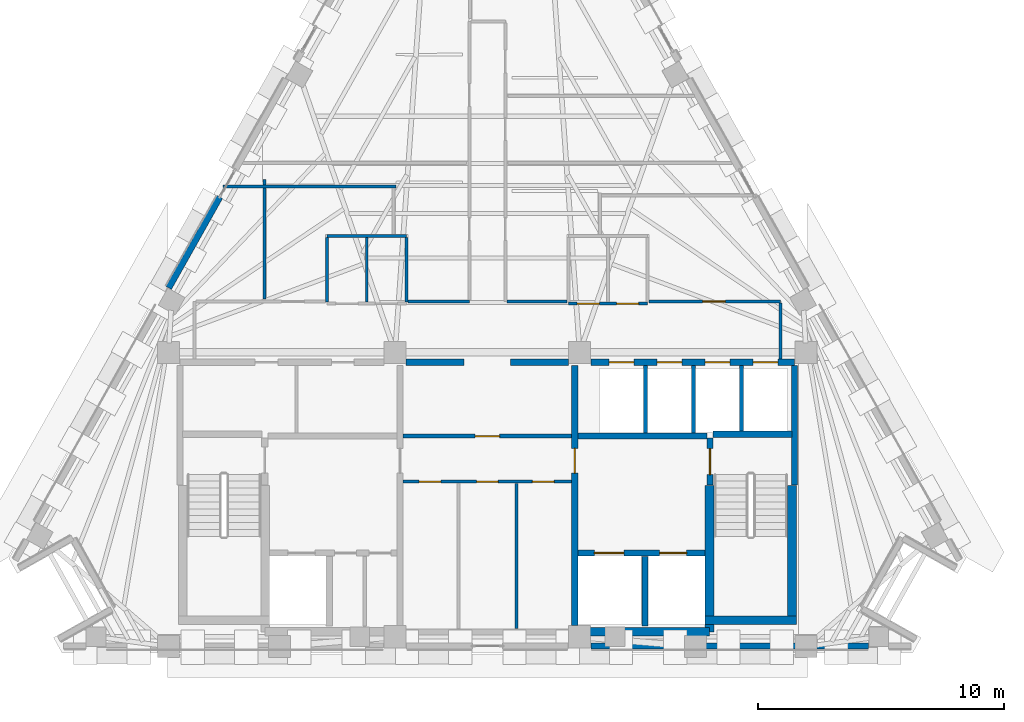
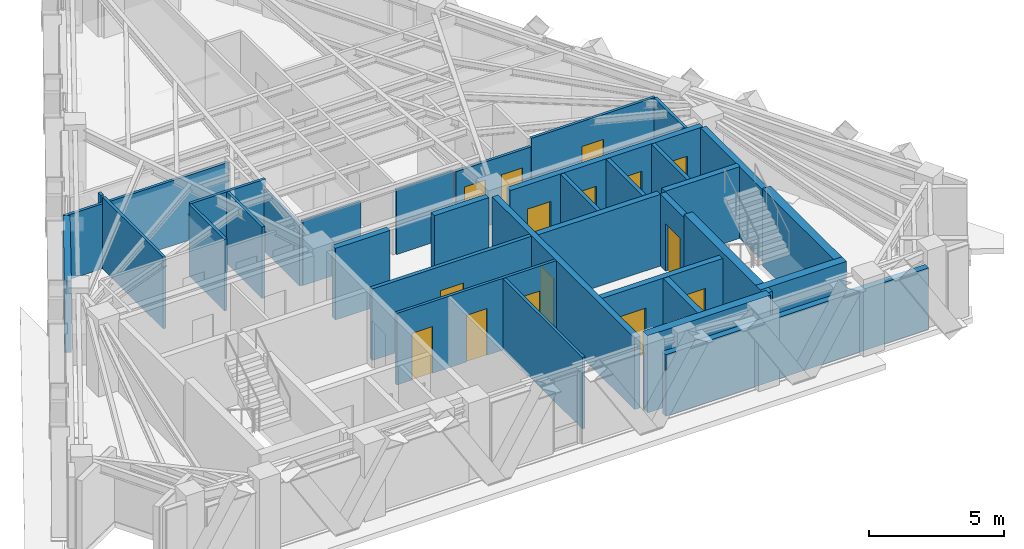
# One storey, part 6 of 9: 34 walls, 15 doors, 15 openings.
"""IFC4 building model written with IfcOpenShell, lengths in metres."""

from ifc_helpers import new_model, si_unit, direction, frame, frame_2d, origin, place, context, subcontext, project, spatial, rectangle, extrude, material, layer, layer_set, type_object, element, fill, save


model = new_model("IFC4")

# Units and contexts
model_context = context("Model", 3, precision=1e-05, world=origin(), true_north=direction((0.0, 1.0)))
body_context = subcontext(model_context, "Body", "Model", "MODEL_VIEW")
ifc_project = project(units=[si_unit("LENGTHUNIT", "METRE"), si_unit("AREAUNIT", "SQUARE_METRE"), si_unit("VOLUMEUNIT", "CUBIC_METRE"), si_unit("PLANEANGLEUNIT", "RADIAN"), si_unit("MASSUNIT", "GRAM", prefix="KILO")], contexts=[model_context])

# Site, building, storey
site_placement = place(None, origin())
site = spatial("IfcSite", under=ifc_project, at=site_placement, CompositionType="ELEMENT")
building_placement = place(site_placement, origin())
building = spatial("IfcBuilding", under=site, at=building_placement, Name="Quenlor Broadcast Tower", CompositionType="ELEMENT")
storey_placement = place(building_placement, frame((0.0, 0.0, 228.89990234375)))
storey = spatial("IfcBuildingStorey", under=building, at=storey_placement, Name="L63", CompositionType="ELEMENT", Elevation=228.89990234375)

# Walls
ifc_material_1 = material(Name="Concrete C50/60", Category="concrete")
ifc_layer_1 = layer(ifc_material_1, 0.35009765625)
ifc_layer_set_1 = layer_set([ifc_layer_1], Name="Core Concrete C50/60 Shear Wall 350")
wall_type_1 = type_object("IfcWallType", Name="Core Concrete C50/60 Shear Wall 350", PredefinedType="SHEAR", material=ifc_layer_set_1)
wall_1_placement = place(storey_placement, frame((3.75, -16.14990234375, 0.0), z_axis=(0.0, 0.0, 1.0), x_axis=(1.0, 0.0, 0.0)))
element("IfcWall", 1, at=wall_1_placement, inside=storey, type_object=wall_type_1, Name="L63 Core Shear Wall WS-E1", PredefinedType="SHEAR", context=body_context, shape_type="SweptSolid", body=[
    extrude(rectangle(XDim=5.27490234375, YDim=0.35009765625, at=frame_2d((2.637451171875, 0.0))), origin(), (0.0, 0.0, 1.0), 3.5),
])
wall_2_placement = place(storey_placement, frame((8.85009765625, -15.675048828125, 0.0), z_axis=(0.0, 0.0, 1.0), x_axis=(1.0, 0.0, 0.0)))
element("IfcWall", 2, at=wall_2_placement, inside=storey, type_object=wall_type_1, Name="L63 Core Shear Wall WS-E2", PredefinedType="SHEAR", context=body_context, shape_type="SweptSolid", body=[
    extrude(rectangle(XDim=3.699951171875, YDim=0.35009765625, at=frame_2d((1.85009765625, 0.0))), origin(), (0.0, 0.0, 1.0), 3.5),
])
wall_3_placement = place(storey_placement, frame((12.375, -15.675048828125, 0.0), z_axis=(0.0, 0.0, 1.0), x_axis=(0.0, 1.0, 0.0)))
element("IfcWall", 3, at=wall_3_placement, inside=storey, type_object=wall_type_1, Name="L63 Core Shear Wall WF-E", PredefinedType="SHEAR", context=body_context, shape_type="SweptSolid", body=[
    extrude(rectangle(XDim=5.47509765625, YDim=0.35009765625, at=frame_2d((2.737548828125, 0.0))), origin(), (0.0, 0.0, 1.0), 3.5),
])
wall_4_placement = place(storey_placement, frame((9.02490234375, -16.14990234375, 0.0), z_axis=(0.0, 0.0, 1.0), x_axis=(0.0, 1.0, 0.0)))
element("IfcWall", 4, at=wall_4_placement, inside=storey, type_object=wall_type_1, Name="L63 Core Shear Wall WI-E", PredefinedType="SHEAR", context=body_context, shape_type="SweptSolid", body=[
    extrude(rectangle(XDim=5.949951171875, YDim=0.35009765625, at=frame_2d((2.97509765625, 0.0))), origin(), (0.0, 0.0, 1.0), 3.5),
])

# Wall, opening, door
ifc_material_2 = material(Name="Concrete C40/50", Category="concrete")
ifc_layer_2 = layer(ifc_material_2, 0.25)
ifc_layer_set_2 = layer_set([ifc_layer_2], Name="Fire Rated Concrete C40/50 Core Wall 250")
wall_type_2 = type_object("IfcWallType", Name="Fire Rated Concrete C40/50 Core Wall 250", PredefinedType="PARTITIONING", material=ifc_layer_set_2)
wall_5_placement = place(storey_placement, frame((9.0400390625, -10.179931640625, 0.0), z_axis=(0.0, 0.0, 1.0), x_axis=(0.0, 1.0, 0.0)))
wall_5 = element("IfcWall", 5, at=wall_5_placement, inside=storey, type_object=wall_type_2, Name="L63 Interior Wall CW-ST2-DR", PredefinedType="PARTITIONING", context=body_context, shape_type="SweptSolid", body=[
    extrude(rectangle(XDim=1.89990234375, YDim=0.25, at=frame_2d((0.949951171875, 0.0))), origin(), (0.0, 0.0, 1.0), 3.25),
])
opening_1_placement = place(wall_5_placement, frame((0.419921875, 0.0, 0.0)))
opening_1 = element("IfcOpeningElement", 6, at=opening_1_placement, cuts=wall_5, Name="Opening FD-1", PredefinedType="OPENING", context=body_context, shape_type="SweptSolid", body=[
    extrude(rectangle(XDim=1.050048828125, YDim=2.14990234375, at=frame_2d((0.52490234375, 1.074951171875))), frame((0.0, 0.135009765625, 0.0), z_axis=(0.0, -1.0, 0.0), x_axis=(1.0, 0.0, 0.0)), (0.0, 0.0, 1.0), 0.27001953125),
])
ifc_material_3 = material(Name="Fire Rated Steel Door Leaf", Category="steel")
door_type_1 = type_object("IfcDoorType", Name="Fire Isolated Stair Door 1050x2150", OperationType="NOTDEFINED", PredefinedType="DOOR", material=ifc_material_3)
door_1_placement = place(opening_1_placement, origin())
door_1 = element("IfcDoor", 7, at=door_1_placement, inside=storey, type_object=door_type_1, Name="L63 Door DR-ST2", OperationType="SINGLE_SWING_RIGHT", OverallHeight=2.14990234375, OverallWidth=1.050048828125, PredefinedType="DOOR", context=body_context, shape_type="SweptSolid", body=[
    extrude(rectangle(XDim=1.050048828125, YDim=2.14990234375, at=frame_2d((0.52490234375, 1.074951171875))), frame((0.0, 0.02490234375, 0.0), z_axis=(0.0, -1.0, 0.0), x_axis=(1.0, 0.0, 0.0)), (0.0, 0.0, 1.0), 0.050048828125),
])
fill(opening_1, door_1)

# Walls
wall_6_placement = place(storey_placement, frame((9.159912109375, -8.1201171875, 0.0), z_axis=(0.0, 0.0, 1.0), x_axis=(1.0, 0.0, 0.0)))
element("IfcWall", 8, at=wall_6_placement, inside=storey, type_object=wall_type_2, Name="L63 Interior Wall CW-ST2-N", PredefinedType="PARTITIONING", context=body_context, shape_type="SweptSolid", body=[
    extrude(rectangle(XDim=3.219970703125, YDim=0.25, at=frame_2d((1.60986328125, 0.0))), origin(), (0.0, 0.0, 1.0), 3.25),
])
wall_7_placement = place(storey_placement, frame((12.47998046875, -10.179931640625, 0.0), z_axis=(0.0, 0.0, 1.0), x_axis=(0.0, 1.0, 0.0)))
element("IfcWall", 9, at=wall_7_placement, inside=storey, type_object=wall_type_2, Name="L63 Interior Wall CW-ST2-E2", PredefinedType="PARTITIONING", context=body_context, shape_type="SweptSolid", body=[
    extrude(rectangle(XDim=4.83984375, YDim=0.25, at=frame_2d((2.419921875, 0.0))), origin(), (0.0, 0.0, 1.0), 3.25),
])

# Wall, openings, doors
wall_8_placement = place(storey_placement, frame((3.679931640625, -12.949951171875, 0.0), z_axis=(0.0, 0.0, 1.0), x_axis=(1.0, 0.0, 0.0)))
wall_8 = element("IfcWall", 10, at=wall_8_placement, inside=storey, type_object=wall_type_2, Name="L63 Interior Wall CW-FFE-S", PredefinedType="PARTITIONING", context=body_context, shape_type="SweptSolid", body=[
    extrude(rectangle(XDim=5.16796875, YDim=0.25, at=frame_2d((2.583984375, 0.0))), origin(), (0.0, 0.0, 1.0), 3.25),
])
opening_2_placement = place(wall_8_placement, frame((3.320068359375, 0.0, 0.0)))
opening_2 = element("IfcOpeningElement", 11, at=opening_2_placement, cuts=wall_8, Name="Opening LD-FFL-2", PredefinedType="OPENING", context=body_context, shape_type="SweptSolid", body=[
    extrude(rectangle(XDim=1.10009765625, YDim=2.14990234375, at=frame_2d((0.550048828125, 1.074951171875))), frame((0.0, 0.135009765625, 0.0), z_axis=(0.0, -1.0, 0.0), x_axis=(1.0, 0.0, 0.0)), (0.0, 0.0, 1.0), 0.27001953125),
])
opening_3_placement = place(wall_8_placement, frame((0.669921875, 0.0, 0.0)))
opening_3 = element("IfcOpeningElement", 12, at=opening_3_placement, cuts=wall_8, Name="Opening LD-SVL-1", PredefinedType="OPENING", context=body_context, shape_type="SweptSolid", body=[
    extrude(rectangle(XDim=1.199951171875, YDim=2.14990234375, at=frame_2d((0.60009765625, 1.074951171875))), frame((0.0, 0.135009765625, 0.0), z_axis=(0.0, -1.0, 0.0), x_axis=(1.0, 0.0, 0.0)), (0.0, 0.0, 1.0), 0.27001953125),
])
ifc_material_4 = material(Name="Brushed Stainless Steel", Category="steel")
door_type_2 = type_object("IfcDoorType", Name="Emergency Lift Sliding Landing Door 1100x2150", OperationType="NOTDEFINED", PredefinedType="DOOR", material=ifc_material_4)
door_2_placement = place(opening_2_placement, origin())
door_2 = element("IfcDoor", 13, at=door_2_placement, inside=storey, type_object=door_type_2, Name="L63 Door LD-FFL-2", OperationType="SLIDING_TO_RIGHT", OverallHeight=2.14990234375, OverallWidth=1.10009765625, PredefinedType="DOOR", context=body_context, shape_type="SweptSolid", body=[
    extrude(rectangle(XDim=1.10009765625, YDim=2.14990234375, at=frame_2d((0.550048828125, 1.074951171875))), frame((0.0, 0.02490234375, 0.0), z_axis=(0.0, -1.0, 0.0), x_axis=(1.0, 0.0, 0.0)), (0.0, 0.0, 1.0), 0.050048828125),
])
fill(opening_2, door_2)
ifc_material_5 = material(Name="Brushed Stainless Steel", Category="steel")
door_type_3 = type_object("IfcDoorType", Name="Goods Lift Sliding Landing Door 1200x2150", OperationType="NOTDEFINED", PredefinedType="DOOR", material=ifc_material_5)
door_3_placement = place(opening_3_placement, origin())
door_3 = element("IfcDoor", 14, at=door_3_placement, inside=storey, type_object=door_type_3, Name="L63 Door LD-SVL-1", OperationType="SLIDING_TO_LEFT", OverallHeight=2.14990234375, OverallWidth=1.199951171875, PredefinedType="DOOR", context=body_context, shape_type="SweptSolid", body=[
    extrude(rectangle(XDim=1.199951171875, YDim=2.14990234375, at=frame_2d((0.60009765625, 1.074951171875))), frame((0.0, 0.02490234375, 0.0), z_axis=(0.0, -1.0, 0.0), x_axis=(1.0, 0.0, 0.0)), (0.0, 0.0, 1.0), 0.050048828125),
])
fill(opening_3, door_3)

# Walls
wall_9_placement = place(storey_placement, frame((6.39990234375, -15.919921875, 0.0), z_axis=(0.0, 0.0, 1.0), x_axis=(0.0, 1.0, 0.0)))
element("IfcWall", 15, at=wall_9_placement, inside=storey, type_object=wall_type_2, Name="L63 Interior Wall CW-SV1-E", PredefinedType="PARTITIONING", context=body_context, shape_type="SweptSolid", body=[
    extrude(rectangle(XDim=2.829833984375, YDim=0.25, at=frame_2d((1.4150390625, 0.0))), origin(), (0.0, 0.0, 1.0), 3.25),
])
wall_10_placement = place(storey_placement, frame((3.679931640625, -8.199951171875, 0.0), z_axis=(0.0, 0.0, 1.0), x_axis=(1.0, 0.0, 0.0)))
element("IfcWall", 16, at=wall_10_placement, inside=storey, type_object=wall_type_2, Name="L63 Interior Wall CW-FFE-N", PredefinedType="PARTITIONING", context=body_context, shape_type="SweptSolid", body=[
    extrude(rectangle(XDim=5.239990234375, YDim=0.25, at=frame_2d((2.6201171875, 0.0))), origin(), (0.0, 0.0, 1.0), 3.25),
])

# Wall, opening, door
wall_11_placement = place(storey_placement, frame((3.550048828125, -15.89794921875, 0.0), z_axis=(0.0, 0.0, 1.0), x_axis=(0.0, 1.0, 0.0)))
wall_11 = element("IfcWall", 17, at=wall_11_placement, inside=storey, type_object=wall_type_2, Name="L63 Interior Wall CW-FFE-W", PredefinedType="PARTITIONING", context=body_context, shape_type="SweptSolid", body=[
    extrude(rectangle(XDim=10.557861328125, YDim=0.25, at=frame_2d((5.27880859375, 0.0))), origin(), (0.0, 0.0, 1.0), 3.25),
])
opening_4_placement = place(wall_11_placement, frame((6.197998046875, 0.0, 0.0)))
opening_4 = element("IfcOpeningElement", 18, at=opening_4_placement, cuts=wall_11, Name="Opening FD-2", PredefinedType="OPENING", context=body_context, shape_type="SweptSolid", body=[
    extrude(rectangle(XDim=1.0, YDim=2.14990234375, at=frame_2d((0.5, 1.074951171875))), frame((0.0, 0.135009765625, 0.0), z_axis=(0.0, -1.0, 0.0), x_axis=(1.0, 0.0, 0.0)), (0.0, 0.0, 1.0), 0.27001953125),
])
ifc_material_6 = material(Name="Fire Rated Glazed Steel Door", Category="steel")
door_type_4 = type_object("IfcDoorType", Name="Firefighting Lobby Smoke Door 1000x2150", OperationType="NOTDEFINED", PredefinedType="DOOR", material=ifc_material_6)
door_4_placement = place(opening_4_placement, origin())
door_4 = element("IfcDoor", 19, at=door_4_placement, inside=storey, type_object=door_type_4, Name="L63 Door DR-FFLE", OperationType="SINGLE_SWING_LEFT", OverallHeight=2.14990234375, OverallWidth=1.0, PredefinedType="DOOR", context=body_context, shape_type="SweptSolid", body=[
    extrude(rectangle(XDim=1.0, YDim=2.14990234375, at=frame_2d((0.5, 1.074951171875))), frame((0.0, 0.02490234375, 0.0), z_axis=(0.0, -1.0, 0.0), x_axis=(1.0, 0.0, 0.0)), (0.0, 0.0, 1.0), 0.050048828125),
])
fill(opening_4, door_4)

# Wall, openings, doors
wall_12_placement = place(storey_placement, frame((4.201904296875, -5.199951171875, 0.0), z_axis=(0.0, 0.0, 1.0), x_axis=(1.0, 0.0, 0.0)))
wall_12 = element("IfcWall", 20, at=wall_12_placement, inside=storey, type_object=wall_type_2, Name="L63 Interior Wall CW-N-E", PredefinedType="PARTITIONING", context=body_context, shape_type="SweptSolid", body=[
    extrude(rectangle(XDim=8.278076171875, YDim=0.25, at=frame_2d((4.13916015625, 0.0))), origin(), (0.0, 0.0, 1.0), 3.25),
])
opening_5_placement = place(wall_12_placement, frame((0.748046875, 0.0, 0.0)))
opening_5 = element("IfcOpeningElement", 21, at=opening_5_placement, cuts=wall_12, Name="Opening LD-PL-H1", PredefinedType="OPENING", context=body_context, shape_type="SweptSolid", body=[
    extrude(rectangle(XDim=1.0, YDim=2.14990234375, at=frame_2d((0.5, 1.074951171875))), frame((0.0, 0.135009765625, 0.0), z_axis=(0.0, -1.0, 0.0), x_axis=(1.0, 0.0, 0.0)), (0.0, 0.0, 1.0), 0.27001953125),
])
opening_6_placement = place(wall_12_placement, frame((2.697998046875, 0.0, 0.0)))
opening_6 = element("IfcOpeningElement", 22, at=opening_6_placement, cuts=wall_12, Name="Opening LD-PL-H2", PredefinedType="OPENING", context=body_context, shape_type="SweptSolid", body=[
    extrude(rectangle(XDim=1.0, YDim=2.14990234375, at=frame_2d((0.5, 1.074951171875))), frame((0.0, 0.135009765625, 0.0), z_axis=(0.0, -1.0, 0.0), x_axis=(1.0, 0.0, 0.0)), (0.0, 0.0, 1.0), 0.27001953125),
])
opening_7_placement = place(wall_12_placement, frame((4.64794921875, 0.0, 0.0)))
opening_7 = element("IfcOpeningElement", 23, at=opening_7_placement, cuts=wall_12, Name="Opening LD-PL-H3", PredefinedType="OPENING", context=body_context, shape_type="SweptSolid", body=[
    extrude(rectangle(XDim=1.0, YDim=2.14990234375, at=frame_2d((0.5, 1.074951171875))), frame((0.0, 0.135009765625, 0.0), z_axis=(0.0, -1.0, 0.0), x_axis=(1.0, 0.0, 0.0)), (0.0, 0.0, 1.0), 0.27001953125),
])
opening_8_placement = place(wall_12_placement, frame((6.597900390625, 0.0, 0.0)))
opening_8 = element("IfcOpeningElement", 24, at=opening_8_placement, cuts=wall_12, Name="Opening LD-PL-H4", PredefinedType="OPENING", context=body_context, shape_type="SweptSolid", body=[
    extrude(rectangle(XDim=1.0, YDim=2.14990234375, at=frame_2d((0.5, 1.074951171875))), frame((0.0, 0.135009765625, 0.0), z_axis=(0.0, -1.0, 0.0), x_axis=(1.0, 0.0, 0.0)), (0.0, 0.0, 1.0), 0.27001953125),
])
ifc_material_7 = material(Name="Brushed Stainless Steel", Category="steel")
door_type_5 = type_object("IfcDoorType", Name="Passenger Lift Sliding Landing Door 1000x2150", OperationType="NOTDEFINED", PredefinedType="DOOR", material=ifc_material_7)
door_5_placement = place(opening_5_placement, origin())
door_5 = element("IfcDoor", 25, at=door_5_placement, inside=storey, type_object=door_type_5, Name="L63 Door LD-PL-H1", OperationType="SLIDING_TO_RIGHT", OverallHeight=2.14990234375, OverallWidth=1.0, PredefinedType="DOOR", context=body_context, shape_type="SweptSolid", body=[
    extrude(rectangle(XDim=1.0, YDim=2.14990234375, at=frame_2d((0.5, 1.074951171875))), frame((0.0, 0.02490234375, 0.0), z_axis=(0.0, -1.0, 0.0), x_axis=(1.0, 0.0, 0.0)), (0.0, 0.0, 1.0), 0.050048828125),
])
fill(opening_5, door_5)
door_6_placement = place(opening_6_placement, origin())
door_6 = element("IfcDoor", 26, at=door_6_placement, inside=storey, type_object=door_type_5, Name="L63 Door LD-PL-H2", OperationType="SLIDING_TO_RIGHT", OverallHeight=2.14990234375, OverallWidth=1.0, PredefinedType="DOOR", context=body_context, shape_type="SweptSolid", body=[
    extrude(rectangle(XDim=1.0, YDim=2.14990234375, at=frame_2d((0.5, 1.074951171875))), frame((0.0, 0.02490234375, 0.0), z_axis=(0.0, -1.0, 0.0), x_axis=(1.0, 0.0, 0.0)), (0.0, 0.0, 1.0), 0.050048828125),
])
fill(opening_6, door_6)
door_7_placement = place(opening_7_placement, origin())
door_7 = element("IfcDoor", 27, at=door_7_placement, inside=storey, type_object=door_type_5, Name="L63 Door LD-PL-H3", OperationType="SLIDING_TO_RIGHT", OverallHeight=2.14990234375, OverallWidth=1.0, PredefinedType="DOOR", context=body_context, shape_type="SweptSolid", body=[
    extrude(rectangle(XDim=1.0, YDim=2.14990234375, at=frame_2d((0.5, 1.074951171875))), frame((0.0, 0.02490234375, 0.0), z_axis=(0.0, -1.0, 0.0), x_axis=(1.0, 0.0, 0.0)), (0.0, 0.0, 1.0), 0.050048828125),
])
fill(opening_7, door_7)
door_8_placement = place(opening_8_placement, origin())
door_8 = element("IfcDoor", 28, at=door_8_placement, inside=storey, type_object=door_type_5, Name="L63 Door LD-PL-H4", OperationType="SLIDING_TO_RIGHT", OverallHeight=2.14990234375, OverallWidth=1.0, PredefinedType="DOOR", context=body_context, shape_type="SweptSolid", body=[
    extrude(rectangle(XDim=1.0, YDim=2.14990234375, at=frame_2d((0.5, 1.074951171875))), frame((0.0, 0.02490234375, 0.0), z_axis=(0.0, -1.0, 0.0), x_axis=(1.0, 0.0, 0.0)), (0.0, 0.0, 1.0), 0.050048828125),
])
fill(opening_8, door_8)

# Walls
for number, where, z_axis, x_axis, name in (
    (29, (-3.298095703125, -5.199951171875, 0.0), (0.0, 0.0, 1.0), (1.0, 0.0, 0.0), "L63 Interior Wall CW-N-M1"),
    (30, (0.949951171875, -5.199951171875, 0.0), (0.0, 0.0, 1.0), (1.0, 0.0, 0.0), "L63 Interior Wall CW-N-M2"),
):
    element("IfcWall", number, at=place(storey_placement, frame(where, z_axis=z_axis, x_axis=x_axis)), inside=storey, type_object=wall_type_2, Name=name, PredefinedType="PARTITIONING", context=body_context, shape_type="SweptSolid", body=[
        extrude(rectangle(XDim=2.34814453125, YDim=0.25, at=frame_2d((1.174072265625, 0.0))), origin(), (0.0, 0.0, 1.0), 3.25),
    ])
ifc_material_8 = material(Name="Gypsum Fireboard Partition", Category="other")
ifc_layer_3 = layer(ifc_material_8, 0.159912109375)
ifc_layer_set_3 = layer_set([ifc_layer_3], Name="Fire Rated Shaft and Corridor Partition 160")
wall_type_3 = type_object("IfcWallType", Name="Fire Rated Shaft and Corridor Partition 160", PredefinedType="PARTITIONING", material=ifc_layer_set_3)
for number, where, z_axis, x_axis, name in (
    (31, (6.425048828125, -8.072998046875, 0.0), (0.0, 0.0, 1.0), (0.0, 1.0, 0.0), "L63 Interior Wall CW-PLH-D1"),
    (32, (8.375, -8.072998046875, 0.0), (0.0, 0.0, 1.0), (0.0, 1.0, 0.0), "L63 Interior Wall CW-PLH-D2"),
):
    element("IfcWall", number, at=place(storey_placement, frame(where, z_axis=z_axis, x_axis=x_axis)), inside=storey, type_object=wall_type_3, Name=name, PredefinedType="PARTITIONING", context=body_context, shape_type="SweptSolid", body=[
        extrude(rectangle(XDim=2.73291015625, YDim=0.159912109375, at=frame_2d((1.366455078125, 0.0))), origin(), (0.0, 0.0, 1.0), 3.25),
    ])
wall_13_placement = place(storey_placement, frame((10.324951171875, -7.992919921875, 0.0), z_axis=(0.0, 0.0, 1.0), x_axis=(0.0, 1.0, 0.0)))
element("IfcWall", 33, at=wall_13_placement, inside=storey, type_object=wall_type_3, Name="L63 Interior Wall CW-PLH-D3", PredefinedType="PARTITIONING", context=body_context, shape_type="SweptSolid", body=[
    extrude(rectangle(XDim=2.65283203125, YDim=0.159912109375, at=frame_2d((1.326416015625, 0.0))), origin(), (0.0, 0.0, 1.0), 3.25),
])

# Wall, opening, door
wall_14_placement = place(storey_placement, frame((-3.419921875, -8.199951171875, 0.0), z_axis=(0.0, 0.0, 1.0), x_axis=(1.0, 0.0, 0.0)))
wall_14 = element("IfcWall", 34, at=wall_14_placement, inside=storey, type_object=wall_type_3, Name="L63 Interior Wall CW-M-BACK", PredefinedType="PARTITIONING", context=body_context, shape_type="SweptSolid", body=[
    extrude(rectangle(XDim=6.83984375, YDim=0.159912109375, at=frame_2d((3.419921875, 0.0))), origin(), (0.0, 0.0, 1.0), 3.25),
])
opening_9_placement = place(wall_14_placement, frame((2.919921875, 0.0, 0.0)))
opening_9 = element("IfcOpeningElement", 35, at=opening_9_placement, cuts=wall_14, Name="Opening FD-2", PredefinedType="OPENING", context=body_context, shape_type="SweptSolid", body=[
    extrude(rectangle(XDim=1.0, YDim=2.14990234375, at=frame_2d((0.5, 1.074951171875))), frame((0.0, 0.08984375, 0.0), z_axis=(0.0, -1.0, 0.0), x_axis=(1.0, 0.0, 0.0)), (0.0, 0.0, 1.0), 0.179931640625),
])
door_9_placement = place(opening_9_placement, origin())
door_9 = element("IfcDoor", 36, at=door_9_placement, inside=storey, type_object=door_type_4, Name="L63 Door DR-CCRP", OperationType="SINGLE_SWING_LEFT", OverallHeight=2.14990234375, OverallWidth=1.0, PredefinedType="DOOR", context=body_context, shape_type="SweptSolid", body=[
    extrude(rectangle(XDim=1.0, YDim=2.14990234375, at=frame_2d((0.5, 1.074951171875))), frame((0.0, 0.02490234375, 0.0), z_axis=(0.0, -1.0, 0.0), x_axis=(1.0, 0.0, 0.0)), (0.0, 0.0, 1.0), 0.050048828125),
])
fill(opening_9, door_9)

# Wall, openings, doors
ifc_material_9 = material(Name="Gypsum Plasterboard Partition", Category="other")
ifc_layer_4 = layer(ifc_material_9, 0.1201171875)
ifc_layer_set_4 = layer_set([ifc_layer_4], Name="Standard Office Partition 120")
wall_type_4 = type_object("IfcWallType", Name="Standard Office Partition 120", PredefinedType="PARTITIONING", material=ifc_layer_set_4)
wall_15_placement = place(storey_placement, frame((-3.419921875, -10.050048828125, 0.0), z_axis=(0.0, 0.0, 1.0), x_axis=(1.0, 0.0, 0.0)))
wall_15 = element("IfcWall", 37, at=wall_15_placement, inside=storey, type_object=wall_type_4, Name="L63 Interior Wall CW-MS-N", PredefinedType="PARTITIONING", context=body_context, shape_type="SweptSolid", body=[
    extrude(rectangle(XDim=6.83984375, YDim=0.1201171875, at=frame_2d((3.419921875, 0.0))), origin(), (0.0, 0.0, 1.0), 3.25),
])
opening_10_placement = place(wall_15_placement, frame((0.64990234375, 0.0, 0.0)))
opening_10 = element("IfcOpeningElement", 38, at=opening_10_placement, cuts=wall_15, Name="Opening ID-4", PredefinedType="OPENING", context=body_context, shape_type="SweptSolid", body=[
    extrude(rectangle(XDim=0.8798828125, YDim=2.1201171875, at=frame_2d((0.43994140625, 1.06005859375))), frame((0.0, 0.070068359375, 0.0), z_axis=(0.0, -1.0, 0.0), x_axis=(1.0, 0.0, 0.0)), (0.0, 0.0, 1.0), 0.14013671875),
])
opening_11_placement = place(wall_15_placement, frame((2.97998046875, 0.0, 0.0)))
opening_11 = element("IfcOpeningElement", 39, at=opening_11_placement, cuts=wall_15, Name="Opening ID-4", PredefinedType="OPENING", context=body_context, shape_type="SweptSolid", body=[
    extrude(rectangle(XDim=0.8798828125, YDim=2.1201171875, at=frame_2d((0.43994140625, 1.06005859375))), frame((0.0, 0.070068359375, 0.0), z_axis=(0.0, -1.0, 0.0), x_axis=(1.0, 0.0, 0.0)), (0.0, 0.0, 1.0), 0.14013671875),
])
opening_12_placement = place(wall_15_placement, frame((5.25, 0.0, 0.0)))
opening_12 = element("IfcOpeningElement", 40, at=opening_12_placement, cuts=wall_15, Name="Opening ID-4", PredefinedType="OPENING", context=body_context, shape_type="SweptSolid", body=[
    extrude(rectangle(XDim=0.8798828125, YDim=2.1201171875, at=frame_2d((0.43994140625, 1.06005859375))), frame((0.0, 0.070068359375, 0.0), z_axis=(0.0, -1.0, 0.0), x_axis=(1.0, 0.0, 0.0)), (0.0, 0.0, 1.0), 0.14013671875),
])
ifc_material_10 = material(Name="Solid Core Timber Oak", Category="wood")
door_type_6 = type_object("IfcDoorType", Name="Service Closet Timber Door 880x2120", OperationType="NOTDEFINED", PredefinedType="DOOR", material=ifc_material_10)
door_10_placement = place(opening_10_placement, origin())
door_10 = element("IfcDoor", 41, at=door_10_placement, inside=storey, type_object=door_type_6, Name="L63 Door DR-RCMA", OperationType="SINGLE_SWING_LEFT", OverallHeight=2.1201171875, OverallWidth=0.8798828125, PredefinedType="DOOR", context=body_context, shape_type="SweptSolid", body=[
    extrude(rectangle(XDim=0.8798828125, YDim=2.1201171875, at=frame_2d((0.43994140625, 1.06005859375))), frame((0.0, 0.02490234375, 0.0), z_axis=(0.0, -1.0, 0.0), x_axis=(1.0, 0.0, 0.0)), (0.0, 0.0, 1.0), 0.050048828125),
])
fill(opening_10, door_10)
door_11_placement = place(opening_11_placement, origin())
door_11 = element("IfcDoor", 42, at=door_11_placement, inside=storey, type_object=door_type_6, Name="L63 Door DR-RCMV", OperationType="SINGLE_SWING_LEFT", OverallHeight=2.1201171875, OverallWidth=0.8798828125, PredefinedType="DOOR", context=body_context, shape_type="SweptSolid", body=[
    extrude(rectangle(XDim=0.8798828125, YDim=2.1201171875, at=frame_2d((0.43994140625, 1.06005859375))), frame((0.0, 0.02490234375, 0.0), z_axis=(0.0, -1.0, 0.0), x_axis=(1.0, 0.0, 0.0)), (0.0, 0.0, 1.0), 0.050048828125),
])
fill(opening_11, door_11)
door_12_placement = place(opening_12_placement, origin())
door_12 = element("IfcDoor", 43, at=door_12_placement, inside=storey, type_object=door_type_6, Name="L63 Door DR-RCMB", OperationType="SINGLE_SWING_RIGHT", OverallHeight=2.1201171875, OverallWidth=0.8798828125, PredefinedType="DOOR", context=body_context, shape_type="SweptSolid", body=[
    extrude(rectangle(XDim=0.8798828125, YDim=2.1201171875, at=frame_2d((0.43994140625, 1.06005859375))), frame((0.0, 0.02490234375, 0.0), z_axis=(0.0, -1.0, 0.0), x_axis=(1.0, 0.0, 0.0)), (0.0, 0.0, 1.0), 0.050048828125),
])
fill(opening_12, door_12)

# Walls
wall_16_placement = place(storey_placement, frame((1.179931640625, -16.02001953125, 0.0), z_axis=(0.0, 0.0, 1.0), x_axis=(0.0, 1.0, 0.0)))
element("IfcWall", 44, at=wall_16_placement, inside=storey, type_object=wall_type_4, Name="L63 Interior Wall CW-RCM-E3", PredefinedType="PARTITIONING", context=body_context, shape_type="SweptSolid", body=[
    extrude(rectangle(XDim=5.89013671875, YDim=0.1201171875, at=frame_2d((2.945068359375, 0.0))), origin(), (0.0, 0.0, 1.0), 3.25),
])
wall_17_placement = place(storey_placement, frame((-6.510009765625, -0.070068359375, 0.0), z_axis=(0.0, 0.0, 1.0), x_axis=(1.0, 0.0, 0.0)))
element("IfcWall", 45, at=wall_17_placement, inside=storey, type_object=wall_type_4, Name="L63 Interior Wall PW-WCW-N", PredefinedType="PARTITIONING", context=body_context, shape_type="SweptSolid", body=[
    extrude(rectangle(XDim=3.219970703125, YDim=0.1201171875, at=frame_2d((1.60986328125, 0.0))), origin(), (0.0, 0.0, 1.0), 3.25),
])
for number, where, z_axis, x_axis, name in (
    (46, (-6.510009765625, -2.758056640625, 0.0), (0.0, 0.0, 1.0), (0.0, 1.0, 0.0), "L63 Interior Wall PW-WCW-W"),
    (47, (-4.89990234375, -2.758056640625, 0.0), (0.0, 0.0, 1.0), (0.0, 1.0, 0.0), "L63 Interior Wall PW-WCW-M"),
):
    element("IfcWall", number, at=place(storey_placement, frame(where, z_axis=z_axis, x_axis=x_axis)), inside=storey, type_object=wall_type_4, Name=name, PredefinedType="PARTITIONING", context=body_context, shape_type="SweptSolid", body=[
        extrude(rectangle(XDim=2.6259765625, YDim=0.1201171875, at=frame_2d((1.31298828125, 0.0))), origin(), (0.0, 0.0, 1.0), 3.25),
    ])
wall_18_placement = place(storey_placement, frame((-3.2900390625, -2.758056640625, 0.0), z_axis=(0.0, 0.0, 1.0), x_axis=(0.0, 1.0, 0.0)))
element("IfcWall", 48, at=wall_18_placement, inside=storey, type_object=wall_type_4, Name="L63 Interior Wall PW-WCW-E", PredefinedType="PARTITIONING", context=body_context, shape_type="SweptSolid", body=[
    extrude(rectangle(XDim=2.6259765625, YDim=0.1201171875, at=frame_2d((1.31298828125, 0.0))), origin(), (0.0, 0.0, 1.0), 2.789794921875),
])

# Wall, openings, doors
wall_19_placement = place(storey_placement, frame((3.2900390625, -2.820068359375, 0.0), z_axis=(0.0, 0.0, 1.0), x_axis=(1.0, 0.0, 0.0)))
wall_19 = element("IfcWall", 49, at=wall_19_placement, inside=storey, type_object=wall_type_4, Name="L63 Interior Wall PW-WCE-S", PredefinedType="PARTITIONING", context=body_context, shape_type="SweptSolid", body=[
    extrude(rectangle(XDim=3.219970703125, YDim=0.1201171875, at=frame_2d((1.60986328125, 0.0))), origin(), (0.0, 0.0, 1.0), 2.94287109375),
])
opening_13_placement = place(wall_19_placement, frame((0.360107421875, 0.0, 0.0)))
opening_13 = element("IfcOpeningElement", 50, at=opening_13_placement, cuts=wall_19, Name="Opening ID-3", PredefinedType="OPENING", context=body_context, shape_type="SweptSolid", body=[
    extrude(rectangle(XDim=0.89990234375, YDim=2.1201171875, at=frame_2d((0.449951171875, 1.06005859375))), frame((0.0, 0.070068359375, 0.0), z_axis=(0.0, -1.0, 0.0), x_axis=(1.0, 0.0, 0.0)), (0.0, 0.0, 1.0), 0.14013671875),
])
opening_14_placement = place(wall_19_placement, frame((1.9599609375, 0.0, 0.0)))
opening_14 = element("IfcOpeningElement", 51, at=opening_14_placement, cuts=wall_19, Name="Opening ID-3", PredefinedType="OPENING", context=body_context, shape_type="SweptSolid", body=[
    extrude(rectangle(XDim=0.89990234375, YDim=2.1201171875, at=frame_2d((0.449951171875, 1.06005859375))), frame((0.0, 0.070068359375, 0.0), z_axis=(0.0, -1.0, 0.0), x_axis=(1.0, 0.0, 0.0)), (0.0, 0.0, 1.0), 0.14013671875),
])
ifc_material_11 = material(Name="Moisture Resistant Timber Oak", Category="wood")
door_type_7 = type_object("IfcDoorType", Name="Washroom Privacy Door 900x2120", OperationType="NOTDEFINED", PredefinedType="DOOR", material=ifc_material_11)
door_13_placement = place(opening_13_placement, origin())
door_13 = element("IfcDoor", 52, at=door_13_placement, inside=storey, type_object=door_type_7, Name="L63 Door DR-MWC", OperationType="SINGLE_SWING_LEFT", OverallHeight=2.1201171875, OverallWidth=0.89990234375, PredefinedType="DOOR", context=body_context, shape_type="SweptSolid", body=[
    extrude(rectangle(XDim=0.89990234375, YDim=2.1201171875, at=frame_2d((0.449951171875, 1.06005859375))), frame((0.0, 0.02490234375, 0.0), z_axis=(0.0, -1.0, 0.0), x_axis=(1.0, 0.0, 0.0)), (0.0, 0.0, 1.0), 0.050048828125),
])
fill(opening_13, door_13)
door_14_placement = place(opening_14_placement, origin())
door_14 = element("IfcDoor", 53, at=door_14_placement, inside=storey, type_object=door_type_7, Name="L63 Door DR-FWC", OperationType="SINGLE_SWING_RIGHT", OverallHeight=2.1201171875, OverallWidth=0.89990234375, PredefinedType="DOOR", context=body_context, shape_type="SweptSolid", body=[
    extrude(rectangle(XDim=0.89990234375, YDim=2.1201171875, at=frame_2d((0.449951171875, 1.06005859375))), frame((0.0, 0.02490234375, 0.0), z_axis=(0.0, -1.0, 0.0), x_axis=(1.0, 0.0, 0.0)), (0.0, 0.0, 1.0), 0.050048828125),
])
fill(opening_14, door_14)

# Walls
wall_20_placement = place(storey_placement, frame((-3.22802734375, -2.72998046875, 0.0), z_axis=(0.0, 0.0, 1.0), x_axis=(1.0, 0.0, 0.0)))
element("IfcWall", 54, at=wall_20_placement, inside=storey, type_object=wall_type_4, Name="L63 Interior Wall PW-CR-04", PredefinedType="PARTITIONING", context=body_context, shape_type="SweptSolid", body=[
    extrude(rectangle(XDim=2.498046875, YDim=0.1201171875, at=frame_2d((1.2490234375, 0.0))), origin(), (0.0, 0.0, 1.0), 2.94287109375),
])
wall_21_placement = place(storey_placement, frame((0.7919921875, -2.72998046875, 0.0), z_axis=(0.0, 0.0, 1.0), x_axis=(1.0, 0.0, 0.0)))
element("IfcWall", 55, at=wall_21_placement, inside=storey, type_object=wall_type_4, Name="L63 Interior Wall PW-CR-08", PredefinedType="PARTITIONING", context=body_context, shape_type="SweptSolid", body=[
    extrude(rectangle(XDim=2.43603515625, YDim=0.1201171875, at=frame_2d((1.218017578125, 0.0))), origin(), (0.0, 0.0, 1.0), 2.94287109375),
])

# Wall, opening, door
wall_22_placement = place(storey_placement, frame((6.572021484375, -2.72998046875, 0.0), z_axis=(0.0, 0.0, 1.0), x_axis=(1.0, 0.0, 0.0)))
wall_22 = element("IfcWall", 56, at=wall_22_placement, inside=storey, type_object=wall_type_4, Name="L63 Interior Wall PW-CR-10", PredefinedType="PARTITIONING", context=body_context, shape_type="SweptSolid", body=[
    extrude(rectangle(XDim=5.327880859375, YDim=0.1201171875, at=frame_2d((2.6640625, 0.0))), origin(), (0.0, 0.0, 1.0), 3.25),
])
opening_15_placement = place(wall_22_placement, frame((2.177978515625, 0.0, 0.0)))
opening_15 = element("IfcOpeningElement", 57, at=opening_15_placement, cuts=wall_22, Name="Opening ID-1", PredefinedType="OPENING", context=body_context, shape_type="SweptSolid", body=[
    extrude(rectangle(XDim=0.919921875, YDim=2.1201171875, at=frame_2d((0.4599609375, 1.06005859375))), frame((0.0, 0.070068359375, 0.0), z_axis=(0.0, -1.0, 0.0), x_axis=(1.0, 0.0, 0.0)), (0.0, 0.0, 1.0), 0.14013671875),
])
ifc_material_12 = material(Name="Solid Core Timber Oak", Category="wood")
door_type_8 = type_object("IfcDoorType", Name="Single Leaf Timber Office Door 920x2120", OperationType="NOTDEFINED", PredefinedType="DOOR", material=ifc_material_12)
door_15_placement = place(opening_15_placement, origin())
door_15 = element("IfcDoor", 58, at=door_15_placement, inside=storey, type_object=door_type_8, Name="L63 Door DR-RM07", OperationType="SINGLE_SWING_RIGHT", OverallHeight=2.1201171875, OverallWidth=0.919921875, PredefinedType="DOOR", context=body_context, shape_type="SweptSolid", body=[
    extrude(rectangle(XDim=0.919921875, YDim=2.1201171875, at=frame_2d((0.4599609375, 1.06005859375))), frame((0.0, 0.02490234375, 0.0), z_axis=(0.0, -1.0, 0.0), x_axis=(1.0, 0.0, 0.0)), (0.0, 0.0, 1.0), 0.050048828125),
])
fill(opening_15, door_15)

# Walls
wall_23_placement = place(storey_placement, frame((11.89990234375, -2.7919921875, 0.0), z_axis=(0.0, 0.0, 1.0), x_axis=(0.0, -1.0, 0.0)))
element("IfcWall", 59, at=wall_23_placement, inside=storey, type_object=wall_type_4, Name="L63 Interior Wall PW-CR-11", PredefinedType="PARTITIONING", context=body_context, shape_type="SweptSolid", body=[
    extrude(rectangle(XDim=2.281005859375, YDim=0.1201171875, at=frame_2d((1.140625, 0.0))), origin(), (0.0, 0.0, 1.0), 3.25),
])
wall_24_placement = place(storey_placement, frame((-3.7099609375, 1.933349609375, 0.0), z_axis=(0.0, 0.0, 1.0), x_axis=(-0.99999783318, 0.002081738602, 0.0)))
element("IfcWall", 60, at=wall_24_placement, inside=storey, type_object=wall_type_4, Name="L63 Interior Wall PW-DV-07", PredefinedType="PARTITIONING", context=body_context, shape_type="SweptSolid", body=[
    extrude(rectangle(XDim=7.03662109375, YDim=0.1201171875, at=frame_2d((3.518310546875, 0.0))), origin(), (0.0, 0.0, 1.0), 2.94287109375),
])
wall_25_placement = place(storey_placement, frame((-9.06005859375, -2.6201171875, 0.0), z_axis=(0.0, 0.0, 1.0), x_axis=(0.0, 1.0, 0.0)))
element("IfcWall", 61, at=wall_25_placement, inside=storey, type_object=wall_type_4, Name="L63 Interior Wall PW-DV-09", PredefinedType="PARTITIONING", context=body_context, shape_type="SweptSolid", body=[
    extrude(rectangle(XDim=4.502685546875, YDim=0.1201171875, at=frame_2d((2.25146484375, 0.0))), origin(), (0.0, 0.0, 1.0), 3.25),
])
wall_26_placement = place(storey_placement, frame((-9.06005859375, 2.006591796875, 0.0), z_axis=(0.0, 0.0, 1.0), x_axis=(0.0, 1.0, 0.0)))
element("IfcWall", 62, at=wall_26_placement, inside=storey, type_object=wall_type_4, Name="L63 Interior Wall PW-DV-09S2", PredefinedType="PARTITIONING", context=body_context, shape_type="SweptSolid", body=[
    extrude(rectangle(XDim=0.21337890625, YDim=0.1201171875, at=frame_2d((0.106689453125, 0.0))), origin(), (0.0, 0.0, 1.0), 3.25),
])
ifc_material_13 = material(Name="Precast concrete C40/50", Category="concrete")
ifc_layer_5 = layer(ifc_material_13, 0.260009765625)
ifc_layer_set_5 = layer_set([ifc_layer_5], Name="Terracotta Precast Concrete C40/50 Upper Wall 260")
wall_type_5 = type_object("IfcWallType", Name="Terracotta Precast Concrete C40/50 Upper Wall 260", PredefinedType="STANDARD", material=ifc_layer_set_5)
wall_27_placement = place(storey_placement, frame((15.49267578125, -16.72509765625, 0.0), z_axis=(0.0, 0.0, 1.0), x_axis=(-1.0, 0.0, 0.0)))
element("IfcWall", 63, at=wall_27_placement, inside=storey, type_object=wall_type_5, Name="L63 Exterior Wall L63-EW-SA", PredefinedType="STANDARD", context=body_context, shape_type="SweptSolid", body=[
    extrude(rectangle(XDim=11.272705078125, YDim=0.260009765625, at=frame_2d((5.63623046875, 0.0))), origin(), (0.0, 0.0, 1.0), 2.789794921875),
])
wall_28_placement = place(storey_placement, frame((-12.9462890625, -2.1767578125, 0.0), z_axis=(0.0, 0.0, 1.0), x_axis=(0.490244825075, 0.871584770109, 0.0)))
element("IfcWall", 64, at=wall_28_placement, inside=storey, type_object=wall_type_5, Name="L63 Exterior Wall L63-NW-SP1", PredefinedType="STANDARD", context=body_context, shape_type="SweptSolid", body=[
    extrude(rectangle(XDim=4.237060546875, YDim=0.260009765625, at=frame_2d((2.11865234375, 0.0))), origin(), (0.0, 0.0, 1.0), 3.25),
])

save(model, "model.ifc")
